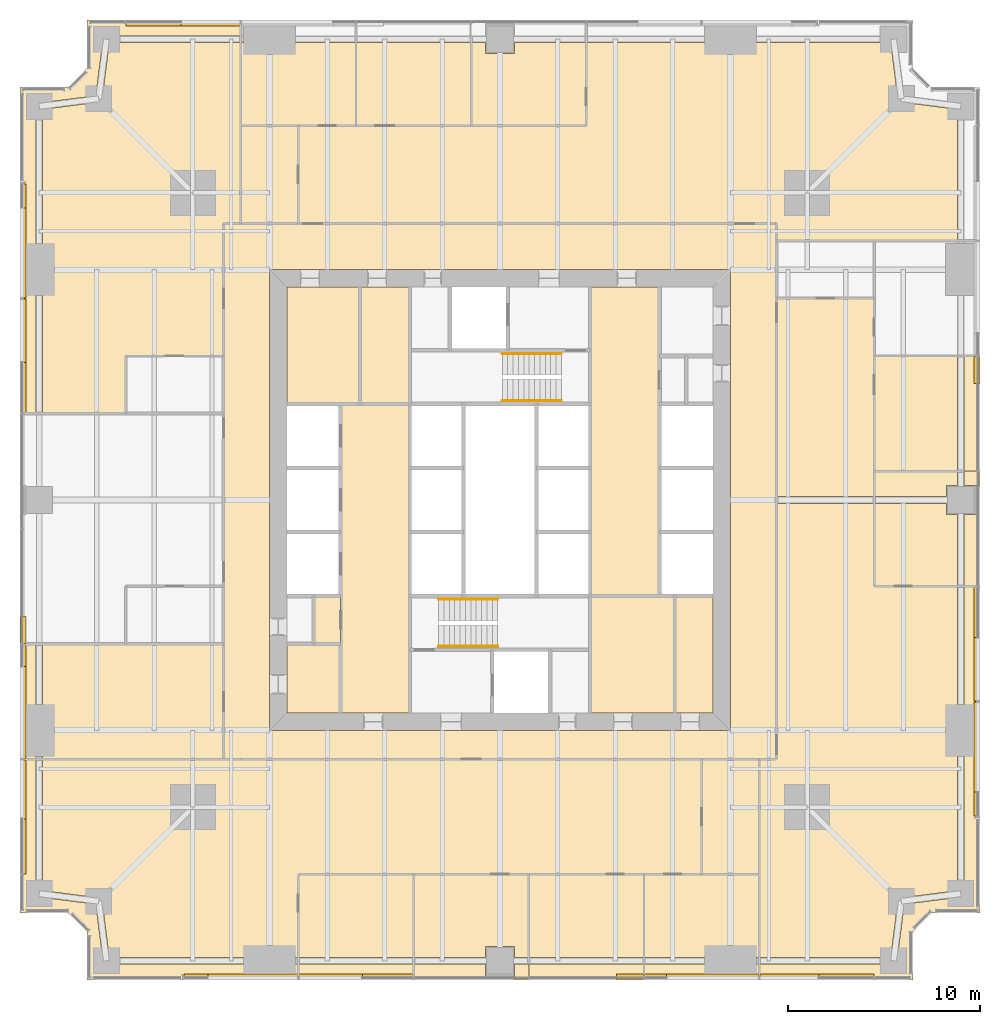
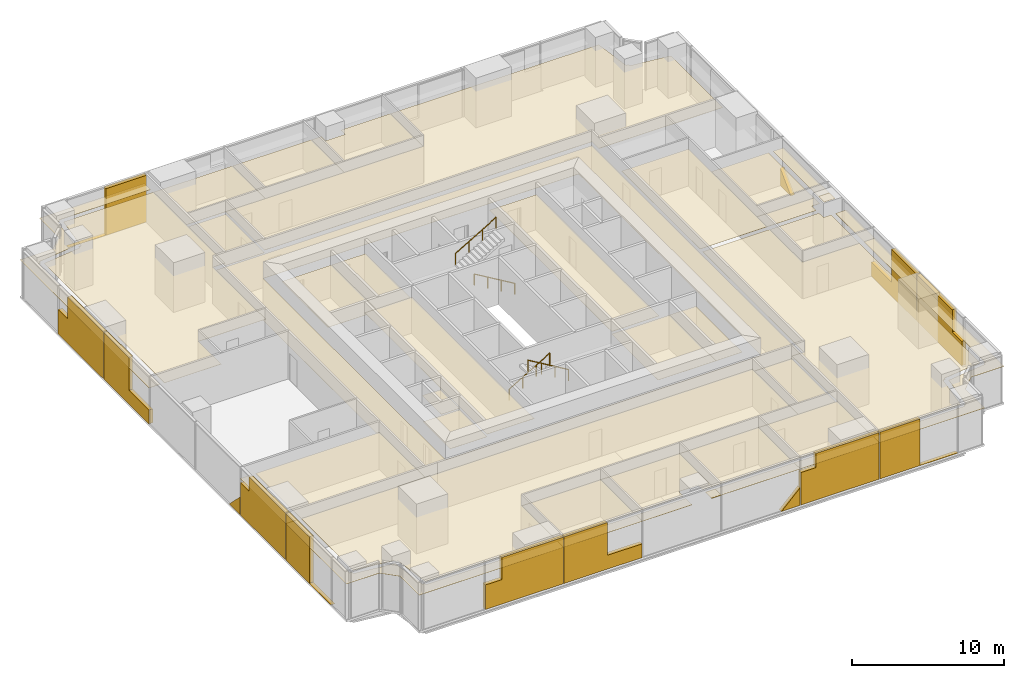
# One storey, part 13 of 16: 53 coverings, 4 railings.
"""IFC4 building model written with IfcOpenShell, lengths in metres."""

from ifc_helpers import new_model, si_unit, direction, frame, origin, origin_2d, place, context, subcontext, project, spatial, polyline, circle, outline, extrude, material, layer, layer_set, type_object, element, save


model = new_model("IFC4")

# Units and contexts
model_context = context("Model", 3, precision=1e-05, world=origin(), true_north=direction((0.0, 1.0)))
body_context = subcontext(model_context, "Body", "Model", "MODEL_VIEW")
ifc_project = project(units=[si_unit("LENGTHUNIT", "METRE"), si_unit("AREAUNIT", "SQUARE_METRE"), si_unit("VOLUMEUNIT", "CUBIC_METRE"), si_unit("PLANEANGLEUNIT", "RADIAN"), si_unit("MASSUNIT", "GRAM", prefix="KILO")], contexts=[model_context])

# Site, building, storey
site_placement = place(None, origin())
site = spatial("IfcSite", under=ifc_project, at=site_placement, CompositionType="ELEMENT")
building_placement = place(site_placement, origin())
building = spatial("IfcBuilding", under=site, at=building_placement, Name="Fenwick Lantern Interchange", CompositionType="ELEMENT")
storey_placement = place(building_placement, frame((0.0, 0.0, 75.0)))
storey = spatial("IfcBuildingStorey", under=building, at=storey_placement, Name="L17", CompositionType="ELEMENT", Elevation=75.0)

# Coverings
ifc_material_1 = material(Name="Mineral fibre acoustic tile on suspended grid")
ifc_layer_1 = layer(ifc_material_1, 0.02001953125)
ifc_layer_set_1 = layer_set([ifc_layer_1], Name="ACOUSTIC TILE CEILING 20")
covering_type_1 = type_object("IfcCoveringType", Name="ACOUSTIC TILE CEILING 20", PredefinedType="CEILING", material=ifc_layer_set_1)
covering_1_placement = place(storey_placement, frame((0.0, 0.0, 2.89990234375)))
element("IfcCovering", 1, at=covering_1_placement, inside=storey, type_object=covering_type_1, Name="Office suite ceiling", PredefinedType="CEILING", context=body_context, shape_type="SweptSolid", body=[
    extrude(outline(polyline([(35.5, 11.5), (1.17236328125, 11.5), (1.17236328125, 4.651611328125), (4.1220703125, 4.27099609375), (4.10009765625, 4.10009765625), (4.27099609375, 4.1220703125), (4.651611328125, 1.17236328125), (13.0, 1.17236328125), (14.5, 1.17236328125), (14.5, 5.5), (35.5, 5.5), (35.5, 11.5)])), origin(), (0.0, 0.0, 1.0), 0.02001953125),
])
covering_2_placement = place(storey_placement, frame((0.0, 0.0, 2.89990234375)))
element("IfcCovering", 2, at=covering_2_placement, inside=storey, type_object=covering_type_1, Name="Office suite ceiling", PredefinedType="CEILING", context=body_context, shape_type="SweptSolid", body=[
    extrude(outline(polyline([(0.0, 11.5), (0.0, 3.5), (2.5, 3.5), (3.5, 2.5), (3.5, 0.0), (14.5, 0.0), (14.5, 0.82763671875), (13.0, 0.82763671875), (4.5, 0.82763671875), (4.5, 1.0), (4.3291015625, 0.97802734375), (3.946044921875, 3.946044921875), (0.97802734375, 4.3291015625), (1.0, 4.5), (0.82763671875, 4.5), (0.82763671875, 11.5), (0.0, 11.5)])), origin(), (0.0, 0.0, 1.0), 0.02001953125),
])
covering_3_placement = place(storey_placement, frame((0.0, 0.0, 2.89990234375)))
element("IfcCovering", 3, at=covering_3_placement, inside=storey, type_object=covering_type_1, Name="Office ceiling", PredefinedType="CEILING", context=body_context, shape_type="SweptSolid", body=[
    extrude(outline(polyline([(14.5, 5.5), (14.5, 1.17236328125), (20.5, 1.17236328125), (20.5, 5.5), (14.5, 5.5)])), origin(), (0.0, 0.0, 1.0), 0.02001953125),
])
covering_4_placement = place(storey_placement, frame((0.0, 0.0, 2.89990234375)))
element("IfcCovering", 4, at=covering_4_placement, inside=storey, type_object=covering_type_1, Name="Office ceiling", PredefinedType="CEILING", context=body_context, shape_type="SweptSolid", body=[
    extrude(outline(polyline([(20.5, 0.0), (20.5, 0.82763671875), (14.5, 0.82763671875), (14.5, 0.0), (20.5, 0.0)])), origin(), (0.0, 0.0, 1.0), 0.02001953125),
])
covering_5_placement = place(storey_placement, frame((0.0, 0.0, 2.89990234375)))
element("IfcCovering", 5, at=covering_5_placement, inside=storey, type_object=covering_type_1, Name="Office ceiling", PredefinedType="CEILING", context=body_context, shape_type="SweptSolid", body=[
    extrude(outline(polyline([(20.5, 5.5), (20.5, 1.17236328125), (24.25, 1.17236328125), (24.25, 1.75), (25.75, 1.75), (25.75, 1.17236328125), (26.5, 1.17236328125), (26.5, 5.5), (20.5, 5.5)])), origin(), (0.0, 0.0, 1.0), 0.02001953125),
])
covering_6_placement = place(storey_placement, frame((0.0, 0.0, 2.89990234375)))
element("IfcCovering", 6, at=covering_6_placement, inside=storey, type_object=covering_type_1, Name="Office ceiling", PredefinedType="CEILING", context=body_context, shape_type="SweptSolid", body=[
    extrude(outline(polyline([(20.5, 0.82763671875), (20.5, 0.0), (24.25, 0.0), (24.25, 0.82763671875), (20.5, 0.82763671875)])), origin(), (0.0, 0.0, 1.0), 0.02001953125),
])
covering_7_placement = place(storey_placement, frame((0.0, 0.0, 2.89990234375)))
element("IfcCovering", 7, at=covering_7_placement, inside=storey, type_object=covering_type_1, Name="Office ceiling", PredefinedType="CEILING", context=body_context, shape_type="SweptSolid", body=[
    extrude(outline(polyline([(26.5, 0.0), (26.5, 0.82763671875), (25.75, 0.82763671875), (25.75, 0.0), (26.5, 0.0)])), origin(), (0.0, 0.0, 1.0), 0.02001953125),
])
covering_8_placement = place(storey_placement, frame((0.0, 0.0, 2.89990234375)))
element("IfcCovering", 8, at=covering_8_placement, inside=storey, type_object=covering_type_1, Name="Office ceiling", PredefinedType="CEILING", context=body_context, shape_type="SweptSolid", body=[
    extrude(outline(polyline([(26.5, 5.5), (26.5, 1.17236328125), (32.5, 1.17236328125), (32.5, 5.5), (26.5, 5.5)])), origin(), (0.0, 0.0, 1.0), 0.02001953125),
])
covering_9_placement = place(storey_placement, frame((0.0, 0.0, 2.89990234375)))
element("IfcCovering", 9, at=covering_9_placement, inside=storey, type_object=covering_type_1, Name="Office ceiling", PredefinedType="CEILING", context=body_context, shape_type="SweptSolid", body=[
    extrude(outline(polyline([(32.5, 0.0), (32.5, 0.82763671875), (26.5, 0.82763671875), (26.5, 0.0), (32.5, 0.0)])), origin(), (0.0, 0.0, 1.0), 0.02001953125),
])
covering_10_placement = place(storey_placement, frame((0.0, 0.0, 2.89990234375)))
element("IfcCovering", 10, at=covering_10_placement, inside=storey, type_object=covering_type_1, Name="Office ceiling", PredefinedType="CEILING", context=body_context, shape_type="SweptSolid", body=[
    extrude(outline(polyline([(32.5, 5.5), (32.5, 1.17236328125), (37.0, 1.17236328125), (38.5, 1.17236328125), (38.5, 5.5), (32.5, 5.5)])), origin(), (0.0, 0.0, 1.0), 0.02001953125),
])
covering_11_placement = place(storey_placement, frame((0.0, 0.0, 2.89990234375)))
element("IfcCovering", 11, at=covering_11_placement, inside=storey, type_object=covering_type_1, Name="Office ceiling", PredefinedType="CEILING", context=body_context, shape_type="SweptSolid", body=[
    extrude(outline(polyline([(38.5, 0.0), (38.5, 0.82763671875), (37.0, 0.82763671875), (32.5, 0.82763671875), (32.5, 0.0), (38.5, 0.0)])), origin(), (0.0, 0.0, 1.0), 0.02001953125),
])
covering_12_placement = place(storey_placement, frame((0.0, 0.0, 2.89990234375)))
element("IfcCovering", 12, at=covering_12_placement, inside=storey, type_object=covering_type_1, Name="Office suite ceiling", PredefinedType="CEILING", context=body_context, shape_type="SweptSolid", body=[
    extrude(outline(polyline([(38.5, 11.5), (38.5, 1.17236328125), (45.348388671875, 1.17236328125), (45.72900390625, 4.1220703125), (45.89990234375, 4.10009765625), (45.8779296875, 4.27099609375), (48.82763671875, 4.651611328125), (48.82763671875, 13.0), (48.82763671875, 20.5), (44.5, 20.5), (44.5, 24.824951171875), (39.39990234375, 24.824951171875), (39.39990234375, 11.5), (38.5, 11.5)])), origin(), (0.0, 0.0, 1.0), 0.02001953125),
])
covering_13_placement = place(storey_placement, frame((0.0, 0.0, 2.89990234375)))
element("IfcCovering", 13, at=covering_13_placement, inside=storey, type_object=covering_type_1, Name="Office suite ceiling", PredefinedType="CEILING", context=body_context, shape_type="SweptSolid", body=[
    extrude(outline(polyline([(39.39990234375, 35.5), (39.39990234375, 25.175048828125), (44.5, 25.175048828125), (44.5, 35.5), (39.39990234375, 35.5)])), origin(), (0.0, 0.0, 1.0), 0.02001953125),
])
covering_14_placement = place(storey_placement, frame((0.0, 0.0, 2.89990234375)))
element("IfcCovering", 14, at=covering_14_placement, inside=storey, type_object=covering_type_1, Name="Office suite ceiling", PredefinedType="CEILING", context=body_context, shape_type="SweptSolid", body=[
    extrude(outline(polyline([(50.0, 3.5), (50.0, 20.5), (49.17236328125, 20.5), (49.17236328125, 13.0), (49.17236328125, 4.5), (49.0, 4.5), (49.02197265625, 4.3291015625), (46.053955078125, 3.946044921875), (45.6708984375, 0.97802734375), (45.5, 1.0), (45.5, 0.82763671875), (38.5, 0.82763671875), (38.5, 0.0), (46.5, 0.0), (46.5, 2.5), (47.5, 3.5), (50.0, 3.5)])), origin(), (0.0, 0.0, 1.0), 0.02001953125),
])
covering_15_placement = place(storey_placement, frame((0.0, 0.0, 2.89990234375)))
element("IfcCovering", 15, at=covering_15_placement, inside=storey, type_object=covering_type_1, Name="Office ceiling", PredefinedType="CEILING", context=body_context, shape_type="SweptSolid", body=[
    extrude(outline(polyline([(44.5, 20.5), (48.82763671875, 20.5), (48.82763671875, 24.25), (48.25, 24.25), (48.25, 24.824951171875), (44.5, 24.824951171875), (44.5, 20.5)])), origin(), (0.0, 0.0, 1.0), 0.02001953125),
])
covering_16_placement = place(storey_placement, frame((0.0, 0.0, 2.89990234375)))
element("IfcCovering", 16, at=covering_16_placement, inside=storey, type_object=covering_type_1, Name="Office ceiling", PredefinedType="CEILING", context=body_context, shape_type="SweptSolid", body=[
    extrude(outline(polyline([(44.5, 26.5), (44.5, 25.175048828125), (48.25, 25.175048828125), (48.25, 25.75), (48.82763671875, 25.75), (48.82763671875, 26.5), (44.5, 26.5)])), origin(), (0.0, 0.0, 1.0), 0.02001953125),
])
covering_17_placement = place(storey_placement, frame((0.0, 0.0, 2.89990234375)))
element("IfcCovering", 17, at=covering_17_placement, inside=storey, type_object=covering_type_1, Name="Office ceiling", PredefinedType="CEILING", context=body_context, shape_type="SweptSolid", body=[
    extrude(outline(polyline([(49.17236328125, 20.5), (50.0, 20.5), (50.0, 24.25), (49.17236328125, 24.25), (49.17236328125, 20.5)])), origin(), (0.0, 0.0, 1.0), 0.02001953125),
])
covering_18_placement = place(storey_placement, frame((0.0, 0.0, 2.89990234375)))
element("IfcCovering", 18, at=covering_18_placement, inside=storey, type_object=covering_type_1, Name="Office ceiling", PredefinedType="CEILING", context=body_context, shape_type="SweptSolid", body=[
    extrude(outline(polyline([(50.0, 26.5), (49.17236328125, 26.5), (49.17236328125, 25.75), (50.0, 25.75), (50.0, 26.5)])), origin(), (0.0, 0.0, 1.0), 0.02001953125),
])
covering_19_placement = place(storey_placement, frame((0.0, 0.0, 2.89990234375)))
element("IfcCovering", 19, at=covering_19_placement, inside=storey, type_object=covering_type_1, Name="Meeting room ceiling", PredefinedType="CEILING", context=body_context, shape_type="SweptSolid", body=[
    extrude(outline(polyline([(44.5, 26.5), (48.82763671875, 26.5), (48.82763671875, 32.5), (44.5, 32.5), (44.5, 26.5)])), origin(), (0.0, 0.0, 1.0), 0.02001953125),
])
covering_20_placement = place(storey_placement, frame((0.0, 0.0, 2.89990234375)))
element("IfcCovering", 20, at=covering_20_placement, inside=storey, type_object=covering_type_1, Name="Meeting room ceiling", PredefinedType="CEILING", context=body_context, shape_type="SweptSolid", body=[
    extrude(outline(polyline([(50.0, 32.5), (49.17236328125, 32.5), (49.17236328125, 26.5), (50.0, 26.5), (50.0, 32.5)])), origin(), (0.0, 0.0, 1.0), 0.02001953125),
])
covering_21_placement = place(storey_placement, frame((0.0, 0.0, 2.89990234375)))
element("IfcCovering", 21, at=covering_21_placement, inside=storey, type_object=covering_type_1, Name="Office suite ceiling", PredefinedType="CEILING", context=body_context, shape_type="SweptSolid", body=[
    extrude(outline(polyline([(39.39990234375, 38.5), (48.82763671875, 38.5), (48.82763671875, 45.348388671875), (45.8779296875, 45.72900390625), (45.89990234375, 45.89990234375), (45.72900390625, 45.8779296875), (45.348388671875, 48.82763671875), (37.0, 48.82763671875), (29.5, 48.82763671875), (29.5, 44.5), (14.5, 44.5), (14.5, 39.39990234375), (39.39990234375, 39.39990234375), (39.39990234375, 38.5)])), origin(), (0.0, 0.0, 1.0), 0.02001953125),
])
covering_22_placement = place(storey_placement, frame((0.0, 0.0, 2.89990234375)))
element("IfcCovering", 22, at=covering_22_placement, inside=storey, type_object=covering_type_1, Name="Office ceiling", PredefinedType="CEILING", context=body_context, shape_type="SweptSolid", body=[
    extrude(outline(polyline([(29.5, 44.5), (29.5, 48.82763671875), (25.75, 48.82763671875), (25.75, 48.25), (24.25, 48.25), (24.25, 48.82763671875), (23.5, 48.82763671875), (23.5, 44.5), (29.5, 44.5)])), origin(), (0.0, 0.0, 1.0), 0.02001953125),
])
covering_23_placement = place(storey_placement, frame((0.0, 0.0, 2.89990234375)))
element("IfcCovering", 23, at=covering_23_placement, inside=storey, type_object=covering_type_1, Name="Meeting room ceiling", PredefinedType="CEILING", context=body_context, shape_type="SweptSolid", body=[
    extrude(outline(polyline([(23.5, 44.5), (23.5, 48.82763671875), (17.5, 48.82763671875), (17.5, 44.5), (23.5, 44.5)])), origin(), (0.0, 0.0, 1.0), 0.02001953125),
])
covering_24_placement = place(storey_placement, frame((0.0, 0.0, 2.89990234375)))
element("IfcCovering", 24, at=covering_24_placement, inside=storey, type_object=covering_type_1, Name="Office ceiling", PredefinedType="CEILING", context=body_context, shape_type="SweptSolid", body=[
    extrude(outline(polyline([(17.5, 44.5), (17.5, 48.82763671875), (13.0, 48.82763671875), (11.5, 48.82763671875), (11.5, 44.5), (17.5, 44.5)])), origin(), (0.0, 0.0, 1.0), 0.02001953125),
])
covering_25_placement = place(storey_placement, frame((0.0, 0.0, 2.89990234375)))
element("IfcCovering", 25, at=covering_25_placement, inside=storey, type_object=covering_type_1, Name="Office suite ceiling", PredefinedType="CEILING", context=body_context, shape_type="SweptSolid", body=[
    extrude(outline(polyline([(1.17236328125, 29.5), (5.5, 29.5), (5.5, 32.5), (10.60009765625, 32.5), (10.60009765625, 39.39990234375), (11.5, 39.39990234375), (11.5, 48.82763671875), (4.651611328125, 48.82763671875), (4.27099609375, 45.8779296875), (4.10009765625, 45.89990234375), (4.1220703125, 45.72900390625), (1.17236328125, 45.348388671875), (1.17236328125, 37.0), (1.17236328125, 29.5)])), origin(), (0.0, 0.0, 1.0), 0.02001953125),
])
covering_26_placement = place(storey_placement, frame((0.0, 0.0, 2.89990234375)))
element("IfcCovering", 26, at=covering_26_placement, inside=storey, type_object=covering_type_1, Name="Office suite ceiling", PredefinedType="CEILING", context=body_context, shape_type="SweptSolid", body=[
    extrude(outline(polyline([(0.0, 29.5), (0.82763671875, 29.5), (0.82763671875, 37.0), (0.82763671875, 45.5), (1.0, 45.5), (0.97802734375, 45.6708984375), (3.946044921875, 46.053955078125), (4.3291015625, 49.02197265625), (4.5, 49.0), (4.5, 49.17236328125), (11.5, 49.17236328125), (11.5, 50.0), (3.5, 50.0), (3.5, 47.5), (2.5, 46.5), (0.0, 46.5), (0.0, 29.5)])), origin(), (0.0, 0.0, 1.0), 0.02001953125),
])
covering_27_placement = place(storey_placement, frame((0.0, 0.0, 2.89990234375)))
element("IfcCovering", 27, at=covering_27_placement, inside=storey, type_object=covering_type_1, Name="Office suite ceiling", PredefinedType="CEILING", context=body_context, shape_type="SweptSolid", body=[
    extrude(outline(polyline([(10.60009765625, 17.5), (1.17236328125, 17.5), (1.17236328125, 13.0), (1.17236328125, 11.5), (10.60009765625, 11.5), (10.60009765625, 17.5)])), origin(), (0.0, 0.0, 1.0), 0.02001953125),
])
covering_28_placement = place(storey_placement, frame((0.0, 0.0, 2.89990234375)))
element("IfcCovering", 28, at=covering_28_placement, inside=storey, type_object=covering_type_1, Name="Office suite ceiling", PredefinedType="CEILING", context=body_context, shape_type="SweptSolid", body=[
    extrude(outline(polyline([(0.0, 17.5), (0.0, 11.5), (0.82763671875, 11.5), (0.82763671875, 13.0), (0.82763671875, 17.5), (0.0, 17.5)])), origin(), (0.0, 0.0, 1.0), 0.02001953125),
])
ifc_material_2 = material(Name="Granite cladding, warm grey flamed finish, on aluminium carrier frame", Category="masonry")
ifc_layer_2 = layer(ifc_material_2, 0.300048828125)
ifc_layer_set_2 = layer_set([ifc_layer_2], Name="BRACE CASING PANEL 300")
covering_type_2 = type_object("IfcCoveringType", Name="BRACE CASING PANEL 300", PredefinedType="CLADDING", material=ifc_layer_set_2)
covering_29_placement = place(storey_placement, frame((3.60009765625, 0.10009765625, 0.0), z_axis=(0.0, 0.0, 1.0), x_axis=(1.0, 0.0, 0.0)))
element("IfcCovering", 29, at=covering_29_placement, inside=storey, type_object=covering_type_2, Name="Brace casing 01 bay 01a", PredefinedType="CLADDING", context=body_context, shape_type="SweptSolid", body=[
    extrude(outline(polyline([(4.9326171875, 0.0), (10.867431640625, 0.0), (10.867431640625, 3.75), (6.1875, 3.75), (6.1875, 1.972900390625), (4.9326171875, 1.972900390625), (4.9326171875, 0.0)])), frame((0.0, 0.2001953125, 0.0), z_axis=(0.0, -1.0, 0.0), x_axis=(1.0, 0.0, 0.0)), (0.0, 0.0, 1.0), 0.300048828125),
])
covering_30_placement = place(storey_placement, frame((3.60009765625, 0.10009765625, 0.0), z_axis=(0.0, 0.0, 1.0), x_axis=(1.0, 0.0, 0.0)))
element("IfcCovering", 30, at=covering_30_placement, inside=storey, type_object=covering_type_2, Name="Brace casing 01 bay 02a", PredefinedType="CLADDING", context=body_context, shape_type="SweptSolid", body=[
    extrude(outline(polyline([(10.9326171875, 0.0), (16.867431640625, 0.0), (16.867431640625, 1.11279296875), (14.226806640625, 1.11279296875), (14.226806640625, 3.75), (10.9326171875, 3.75), (10.9326171875, 0.0)])), frame((0.0, 0.2001953125, 0.0), z_axis=(0.0, -1.0, 0.0), x_axis=(1.0, 0.0, 0.0)), (0.0, 0.0, 1.0), 0.300048828125),
])
covering_31_placement = place(storey_placement, frame((3.60009765625, 0.10009765625, 0.0), z_axis=(0.0, 0.0, 1.0), x_axis=(1.0, 0.0, 0.0)))
element("IfcCovering", 31, at=covering_31_placement, inside=storey, type_object=covering_type_2, Name="Brace casing 01 bay 04a", PredefinedType="CLADDING", context=body_context, shape_type="SweptSolid", body=[
    extrude(outline(polyline([(27.46044921875, 0.0), (28.867431640625, 0.0), (28.867431640625, 1.406982421875), (27.46044921875, 0.0)])), frame((0.0, 0.2001953125, 0.0), z_axis=(0.0, -1.0, 0.0), x_axis=(1.0, 0.0, 0.0)), (0.0, 0.0, 1.0), 0.300048828125),
])
covering_32_placement = place(storey_placement, frame((3.60009765625, 0.10009765625, 0.0), z_axis=(0.0, 0.0, 1.0), x_axis=(1.0, 0.0, 0.0)))
element("IfcCovering", 32, at=covering_32_placement, inside=storey, type_object=covering_type_2, Name="Brace casing 01 bay 05a", PredefinedType="CLADDING", context=body_context, shape_type="SweptSolid", body=[
    extrude(outline(polyline([(28.9326171875, 0.0), (34.867431640625, 0.0), (34.867431640625, 3.75), (30.072509765625, 3.75), (30.072509765625, 2.612060546875), (28.9326171875, 2.612060546875), (28.9326171875, 0.0)])), frame((0.0, 0.2001953125, 0.0), z_axis=(0.0, -1.0, 0.0), x_axis=(1.0, 0.0, 0.0)), (0.0, 0.0, 1.0), 0.300048828125),
])
covering_33_placement = place(storey_placement, frame((3.60009765625, 0.10009765625, 0.0), z_axis=(0.0, 0.0, 1.0), x_axis=(1.0, 0.0, 0.0)))
element("IfcCovering", 33, at=covering_33_placement, inside=storey, type_object=covering_type_2, Name="Brace casing 01 bay 06a", PredefinedType="CLADDING", context=body_context, shape_type="SweptSolid", body=[
    extrude(outline(polyline([(34.9326171875, 0.0), (40.867431640625, 0.0), (40.867431640625, 0.006103515625), (38.005615234375, 0.006103515625), (38.005615234375, 3.75), (34.9326171875, 3.75), (34.9326171875, 0.0)])), frame((0.0, 0.2001953125, 0.0), z_axis=(0.0, -1.0, 0.0), x_axis=(1.0, 0.0, 0.0)), (0.0, 0.0, 1.0), 0.300048828125),
])
covering_34_placement = place(storey_placement, frame((49.89990234375, 3.60009765625, 0.0), z_axis=(0.0, 0.0, 1.0), x_axis=(0.0, 1.0, 0.0)))
element("IfcCovering", 34, at=covering_34_placement, inside=storey, type_object=covering_type_2, Name="Brace casing 05 bay 01a", PredefinedType="CLADDING", context=body_context, shape_type="SweptSolid", body=[
    extrude(outline(polyline([(4.9326171875, 0.0), (10.867431640625, 0.0), (10.867431640625, 3.75), (6.1875, 3.75), (6.1875, 1.972900390625), (4.9326171875, 1.972900390625), (4.9326171875, 0.0)])), frame((0.0, 0.2001953125, 0.0), z_axis=(0.0, -1.0, 0.0), x_axis=(1.0, 0.0, 0.0)), (0.0, 0.0, 1.0), 0.300048828125),
])
covering_35_placement = place(storey_placement, frame((49.89990234375, 3.60009765625, 0.0), z_axis=(0.0, 0.0, 1.0), x_axis=(0.0, 1.0, 0.0)))
element("IfcCovering", 35, at=covering_35_placement, inside=storey, type_object=covering_type_2, Name="Brace casing 05 bay 02a", PredefinedType="CLADDING", context=body_context, shape_type="SweptSolid", body=[
    extrude(outline(polyline([(10.9326171875, 0.0), (16.867431640625, 0.0), (16.867431640625, 1.11279296875), (14.226806640625, 1.11279296875), (14.226806640625, 3.75), (10.9326171875, 3.75), (10.9326171875, 0.0)])), frame((0.0, 0.2001953125, 0.0), z_axis=(0.0, -1.0, 0.0), x_axis=(1.0, 0.0, 0.0)), (0.0, 0.0, 1.0), 0.300048828125),
])
covering_36_placement = place(storey_placement, frame((49.89990234375, 3.60009765625, 0.0), z_axis=(0.0, 0.0, 1.0), x_axis=(0.0, 1.0, 0.0)))
element("IfcCovering", 36, at=covering_36_placement, inside=storey, type_object=covering_type_2, Name="Brace casing 05 bay 04a", PredefinedType="CLADDING", context=body_context, shape_type="SweptSolid", body=[
    extrude(outline(polyline([(27.46044921875, 0.0), (28.867431640625, 0.0), (28.867431640625, 1.406982421875), (27.46044921875, 0.0)])), frame((0.0, 0.2001953125, 0.0), z_axis=(0.0, -1.0, 0.0), x_axis=(1.0, 0.0, 0.0)), (0.0, 0.0, 1.0), 0.300048828125),
])
covering_37_placement = place(storey_placement, frame((46.39990234375, 49.89990234375, 0.0), z_axis=(0.0, 0.0, 1.0), x_axis=(-1.0, 0.0, 0.0)))
element("IfcCovering", 37, at=covering_37_placement, inside=storey, type_object=covering_type_2, Name="Brace casing 09 bay 06a", PredefinedType="CLADDING", context=body_context, shape_type="SweptSolid", body=[
    extrude(outline(polyline([(34.9326171875, 0.0), (40.867431640625, 0.0), (40.867431640625, 0.006103515625), (38.005615234375, 0.006103515625), (38.005615234375, 3.75), (34.9326171875, 3.75), (34.9326171875, 0.0)])), frame((0.0, 0.2001953125, 0.0), z_axis=(0.0, -1.0, 0.0), x_axis=(1.0, 0.0, 0.0)), (0.0, 0.0, 1.0), 0.300048828125),
])
covering_38_placement = place(storey_placement, frame((0.10009765625, 46.39990234375, 0.0), z_axis=(0.0, 0.0, 1.0), x_axis=(0.0, -1.0, 0.0)))
element("IfcCovering", 38, at=covering_38_placement, inside=storey, type_object=covering_type_2, Name="Brace casing 13 bay 01a", PredefinedType="CLADDING", context=body_context, shape_type="SweptSolid", body=[
    extrude(outline(polyline([(4.9326171875, 0.0), (10.867431640625, 0.0), (10.867431640625, 3.75), (6.1875, 3.75), (6.1875, 1.972900390625), (4.9326171875, 1.972900390625), (4.9326171875, 0.0)])), frame((0.0, 0.2001953125, 0.0), z_axis=(0.0, -1.0, 0.0), x_axis=(1.0, 0.0, 0.0)), (0.0, 0.0, 1.0), 0.300048828125),
])
covering_39_placement = place(storey_placement, frame((0.10009765625, 46.39990234375, 0.0), z_axis=(0.0, 0.0, 1.0), x_axis=(0.0, -1.0, 0.0)))
element("IfcCovering", 39, at=covering_39_placement, inside=storey, type_object=covering_type_2, Name="Brace casing 13 bay 02a", PredefinedType="CLADDING", context=body_context, shape_type="SweptSolid", body=[
    extrude(outline(polyline([(10.9326171875, 0.0), (16.867431640625, 0.0), (16.867431640625, 1.11279296875), (14.226806640625, 1.11279296875), (14.226806640625, 3.75), (10.9326171875, 3.75), (10.9326171875, 0.0)])), frame((0.0, 0.2001953125, 0.0), z_axis=(0.0, -1.0, 0.0), x_axis=(1.0, 0.0, 0.0)), (0.0, 0.0, 1.0), 0.300048828125),
])
covering_40_placement = place(storey_placement, frame((0.10009765625, 46.39990234375, 0.0), z_axis=(0.0, 0.0, 1.0), x_axis=(0.0, -1.0, 0.0)))
element("IfcCovering", 40, at=covering_40_placement, inside=storey, type_object=covering_type_2, Name="Brace casing 13 bay 04a", PredefinedType="CLADDING", context=body_context, shape_type="SweptSolid", body=[
    extrude(outline(polyline([(27.46044921875, 0.0), (28.867431640625, 0.0), (28.867431640625, 1.406982421875), (27.46044921875, 0.0)])), frame((0.0, 0.2001953125, 0.0), z_axis=(0.0, -1.0, 0.0), x_axis=(1.0, 0.0, 0.0)), (0.0, 0.0, 1.0), 0.300048828125),
])
covering_41_placement = place(storey_placement, frame((0.10009765625, 46.39990234375, 0.0), z_axis=(0.0, 0.0, 1.0), x_axis=(0.0, -1.0, 0.0)))
element("IfcCovering", 41, at=covering_41_placement, inside=storey, type_object=covering_type_2, Name="Brace casing 13 bay 05a", PredefinedType="CLADDING", context=body_context, shape_type="SweptSolid", body=[
    extrude(outline(polyline([(28.9326171875, 0.0), (34.867431640625, 0.0), (34.867431640625, 3.75), (30.072509765625, 3.75), (30.072509765625, 2.612060546875), (28.9326171875, 2.612060546875), (28.9326171875, 0.0)])), frame((0.0, 0.2001953125, 0.0), z_axis=(0.0, -1.0, 0.0), x_axis=(1.0, 0.0, 0.0)), (0.0, 0.0, 1.0), 0.300048828125),
])
covering_42_placement = place(storey_placement, frame((0.10009765625, 46.39990234375, 0.0), z_axis=(0.0, 0.0, 1.0), x_axis=(0.0, -1.0, 0.0)))
element("IfcCovering", 42, at=covering_42_placement, inside=storey, type_object=covering_type_2, Name="Brace casing 13 bay 06a", PredefinedType="CLADDING", context=body_context, shape_type="SweptSolid", body=[
    extrude(outline(polyline([(34.9326171875, 0.0), (40.867431640625, 0.0), (40.867431640625, 0.006103515625), (38.005615234375, 0.006103515625), (38.005615234375, 3.75), (34.9326171875, 3.75), (34.9326171875, 0.0)])), frame((0.0, 0.2001953125, 0.0), z_axis=(0.0, -1.0, 0.0), x_axis=(1.0, 0.0, 0.0)), (0.0, 0.0, 1.0), 0.300048828125),
])

# Railings
ifc_material_3 = material(Name="Stainless steel handrail", Category="steel")
railing_type = type_object("IfcRailingType", Name="HANDRAIL 900", PredefinedType="HANDRAIL", material=ifc_material_3)
railing_1_placement = place(storey_placement, frame((21.800048828125, 19.825927734375, 0.166748046875)))
element("IfcRailing", 43, at=railing_1_placement, inside=storey, type_object=railing_type, Name="L17/STAIR/ST1/HR1", PredefinedType="HANDRAIL", context=body_context, shape_type="SweptSolid", body=[
    extrude(circle(Radius=0.02392578125, at=origin_2d()), frame((0.0, 0.0, 0.8759765625), z_axis=(0.859290745958, 0.0, 0.51148745235), x_axis=(0.0, 1.0, 0.0)), (0.0, 0.0, 1.0), 3.584228515625),
    extrude(circle(Radius=0.02099609375, at=origin_2d()), origin(), (0.0, 0.0, 1.0), 0.851806640625),
    extrude(circle(Radius=0.02099609375, at=origin_2d()), frame((1.026611328125, 0.0, 0.611083984375)), (0.0, 0.0, 1.0), 0.851806640625),
    extrude(circle(Radius=0.02099609375, at=origin_2d()), frame((2.05322265625, 0.0, 1.22216796875)), (0.0, 0.0, 1.0), 0.851806640625),
    extrude(circle(Radius=0.02099609375, at=origin_2d()), frame((3.079833984375, 0.0, 1.833251953125)), (0.0, 0.0, 1.0), 0.851806640625),
])
for number, where, name in (
    (44, (24.8798828125, 17.3740234375, 2.166748046875), "L17/STAIR/ST1/HR2"),
    (45, (28.199951171875, 30.174072265625, 0.166748046875), "L17/STAIR/ST2/HR1"),
):
    element("IfcRailing", number, at=place(storey_placement, frame(where)), inside=storey, type_object=railing_type, Name=name, PredefinedType="HANDRAIL", context=body_context, shape_type="SweptSolid", body=[
        extrude(circle(Radius=0.02392578125, at=origin_2d()), frame((0.0, 0.0, 0.8759765625), z_axis=(-0.859290745958, 0.0, 0.51148745235), x_axis=(0.0, -1.0, 0.0)), (0.0, 0.0, 1.0), 3.584228515625),
        extrude(circle(Radius=0.02099609375, at=origin_2d()), origin(), (0.0, 0.0, 1.0), 0.851806640625),
        extrude(circle(Radius=0.02099609375, at=origin_2d()), frame((-1.026611328125, 0.0, 0.611083984375)), (0.0, 0.0, 1.0), 0.851806640625),
        extrude(circle(Radius=0.02099609375, at=origin_2d()), frame((-2.05322265625, 0.0, 1.22216796875)), (0.0, 0.0, 1.0), 0.851806640625),
        extrude(circle(Radius=0.02099609375, at=origin_2d()), frame((-3.079833984375, 0.0, 1.833251953125)), (0.0, 0.0, 1.0), 0.851806640625),
    ])
railing_2_placement = place(storey_placement, frame((25.1201171875, 32.6259765625, 2.166748046875)))
element("IfcRailing", 46, at=railing_2_placement, inside=storey, type_object=railing_type, Name="L17/STAIR/ST2/HR2", PredefinedType="HANDRAIL", context=body_context, shape_type="SweptSolid", body=[
    extrude(circle(Radius=0.02392578125, at=origin_2d()), frame((0.0, 0.0, 0.8759765625), z_axis=(0.859290745958, 0.0, 0.51148745235), x_axis=(0.0, 1.0, 0.0)), (0.0, 0.0, 1.0), 3.584228515625),
    extrude(circle(Radius=0.02099609375, at=origin_2d()), origin(), (0.0, 0.0, 1.0), 0.851806640625),
    extrude(circle(Radius=0.02099609375, at=origin_2d()), frame((1.026611328125, 0.0, 0.611083984375)), (0.0, 0.0, 1.0), 0.851806640625),
    extrude(circle(Radius=0.02099609375, at=origin_2d()), frame((2.05322265625, 0.0, 1.22216796875)), (0.0, 0.0, 1.0), 0.851806640625),
    extrude(circle(Radius=0.02099609375, at=origin_2d()), frame((3.079833984375, 0.0, 1.833251953125)), (0.0, 0.0, 1.0), 0.851806640625),
])

# Coverings
ifc_material_4 = material(Name="Moisture resistant gypsum board on suspended frame, painted")
ifc_layer_3 = layer(ifc_material_4, 0.014892578125)
ifc_layer_set_3 = layer_set([ifc_layer_3], Name="MOISTURE RESISTANT CEILING 15")
covering_type_3 = type_object("IfcCoveringType", Name="MOISTURE RESISTANT CEILING 15", PredefinedType="CEILING", material=ifc_layer_set_3)
covering_43_placement = place(storey_placement, frame((0.0, 0.0, 2.60009765625)))
element("IfcCovering", 47, at=covering_43_placement, inside=storey, type_object=covering_type_3, Name="Women's WC ceiling", PredefinedType="CEILING", context=body_context, shape_type="SweptSolid", body=[
    extrude(outline(polyline([(29.699951171875, 13.89990234375), (34.10009765625, 13.89990234375), (34.10009765625, 20.0), (29.699951171875, 20.0), (29.699951171875, 13.89990234375)])), origin(), (0.0, 0.0, 1.0), 0.014892578125),
])
covering_44_placement = place(storey_placement, frame((0.0, 0.0, 2.60009765625)))
element("IfcCovering", 48, at=covering_44_placement, inside=storey, type_object=covering_type_3, Name="Men's WC ceiling", PredefinedType="CEILING", context=body_context, shape_type="SweptSolid", body=[
    extrude(outline(polyline([(34.10009765625, 13.89990234375), (36.10009765625, 13.89990234375), (36.10009765625, 20.0), (34.10009765625, 20.0), (34.10009765625, 13.89990234375)])), origin(), (0.0, 0.0, 1.0), 0.014892578125),
])
covering_45_placement = place(storey_placement, frame((0.0, 0.0, 2.60009765625)))
element("IfcCovering", 49, at=covering_45_placement, inside=storey, type_object=covering_type_3, Name="Accessible WC and shower ceiling", PredefinedType="CEILING", context=body_context, shape_type="SweptSolid", body=[
    extrude(outline(polyline([(13.89990234375, 13.89990234375), (16.699951171875, 13.89990234375), (16.699951171875, 17.5), (13.89990234375, 17.5), (13.89990234375, 13.89990234375)])), origin(), (0.0, 0.0, 1.0), 0.014892578125),
])
covering_46_placement = place(storey_placement, frame((0.0, 0.0, 2.699951171875)))
element("IfcCovering", 50, at=covering_46_placement, inside=storey, type_object=covering_type_3, Name="Pantry store ceiling", PredefinedType="CEILING", context=body_context, shape_type="SweptSolid", body=[
    extrude(outline(polyline([(15.300048828125, 17.5), (16.699951171875, 17.5), (16.699951171875, 20.0), (15.300048828125, 20.0), (15.300048828125, 17.5)])), origin(), (0.0, 0.0, 1.0), 0.01513671875),
])
covering_47_placement = place(storey_placement, frame((0.0, 0.0, 2.60009765625)))
element("IfcCovering", 51, at=covering_47_placement, inside=storey, type_object=covering_type_3, Name="Men's WC ceiling", PredefinedType="CEILING", context=body_context, shape_type="SweptSolid", body=[
    extrude(outline(polyline([(20.300048828125, 36.10009765625), (17.699951171875, 36.10009765625), (17.699951171875, 30.0), (20.300048828125, 30.0), (20.300048828125, 36.10009765625)])), origin(), (0.0, 0.0, 1.0), 0.014892578125),
])
covering_48_placement = place(storey_placement, frame((0.0, 0.0, 2.60009765625)))
element("IfcCovering", 52, at=covering_48_placement, inside=storey, type_object=covering_type_3, Name="Women's WC ceiling", PredefinedType="CEILING", context=body_context, shape_type="SweptSolid", body=[
    extrude(outline(polyline([(17.699951171875, 36.10009765625), (13.89990234375, 36.10009765625), (13.89990234375, 30.0), (17.699951171875, 30.0), (17.699951171875, 36.10009765625)])), origin(), (0.0, 0.0, 1.0), 0.014892578125),
])
covering_49_placement = place(storey_placement, frame((0.0, 0.0, 2.699951171875)))
element("IfcCovering", 53, at=covering_49_placement, inside=storey, type_object=covering_type_3, Name="Pantry ceiling", PredefinedType="CEILING", context=body_context, shape_type="SweptSolid", body=[
    extrude(outline(polyline([(35.5, 5.5), (38.5, 5.5), (38.5, 11.5), (35.5, 11.5), (35.5, 5.5)])), origin(), (0.0, 0.0, 1.0), 0.01513671875),
])
covering_50_placement = place(storey_placement, frame((0.0, 0.0, 2.699951171875)))
element("IfcCovering", 54, at=covering_50_placement, inside=storey, type_object=covering_type_3, Name="Pantry ceiling", PredefinedType="CEILING", context=body_context, shape_type="SweptSolid", body=[
    extrude(outline(polyline([(14.5, 44.5), (11.5, 44.5), (11.5, 39.39990234375), (14.5, 39.39990234375), (14.5, 44.5)])), origin(), (0.0, 0.0, 1.0), 0.01513671875),
])
ifc_material_5 = material(Name="Gypsum plasterboard on suspended frame, painted")
ifc_layer_4 = layer(ifc_material_5, 0.014892578125)
ifc_layer_set_4 = layer_set([ifc_layer_4], Name="PLASTERBOARD CEILING 15")
covering_type_4 = type_object("IfcCoveringType", Name="PLASTERBOARD CEILING 15", PredefinedType="CEILING", material=ifc_layer_set_4)
covering_51_placement = place(storey_placement, frame((0.0, 0.0, 2.800048828125)))
element("IfcCovering", 55, at=covering_51_placement, inside=storey, type_object=covering_type_4, Name="Lift lobby ceiling", PredefinedType="CEILING", context=body_context, shape_type="SweptSolid", body=[
    extrude(outline(polyline([(16.699951171875, 13.89990234375), (20.300048828125, 13.89990234375), (20.300048828125, 30.0), (16.699951171875, 30.0), (16.699951171875, 13.89990234375)])), origin(), (0.0, 0.0, 1.0), 0.014892578125),
])
covering_52_placement = place(storey_placement, frame((0.0, 0.0, 2.800048828125)))
element("IfcCovering", 56, at=covering_52_placement, inside=storey, type_object=covering_type_4, Name="Lift lobby ceiling", PredefinedType="CEILING", context=body_context, shape_type="SweptSolid", body=[
    extrude(outline(polyline([(33.300048828125, 36.10009765625), (29.699951171875, 36.10009765625), (29.699951171875, 20.0), (33.300048828125, 20.0), (33.300048828125, 36.10009765625)])), origin(), (0.0, 0.0, 1.0), 0.014892578125),
])
covering_53_placement = place(storey_placement, frame((0.0, 0.0, 2.60009765625)))
element("IfcCovering", 57, at=covering_53_placement, inside=storey, type_object=covering_type_4, Name="Corridor ceiling", PredefinedType="CEILING", context=body_context, shape_type="SweptSolid", body=[
    extrude(outline(polyline([(10.60009765625, 11.5), (39.39990234375, 11.5), (39.39990234375, 39.39990234375), (10.60009765625, 39.39990234375), (10.60009765625, 11.5)]), holes=[polyline([(13.0, 13.0), (13.0, 37.0), (37.0, 37.0), (37.0, 13.0), (13.0, 13.0)])]), origin(), (0.0, 0.0, 1.0), 0.014892578125),
])

save(model, "model.ifc")
